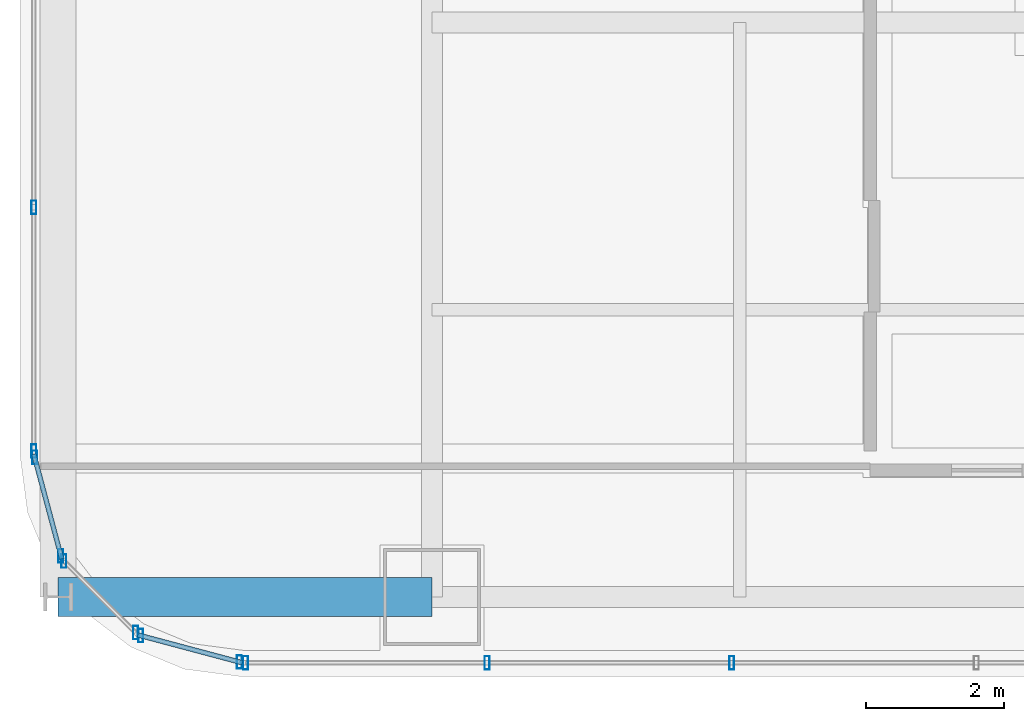
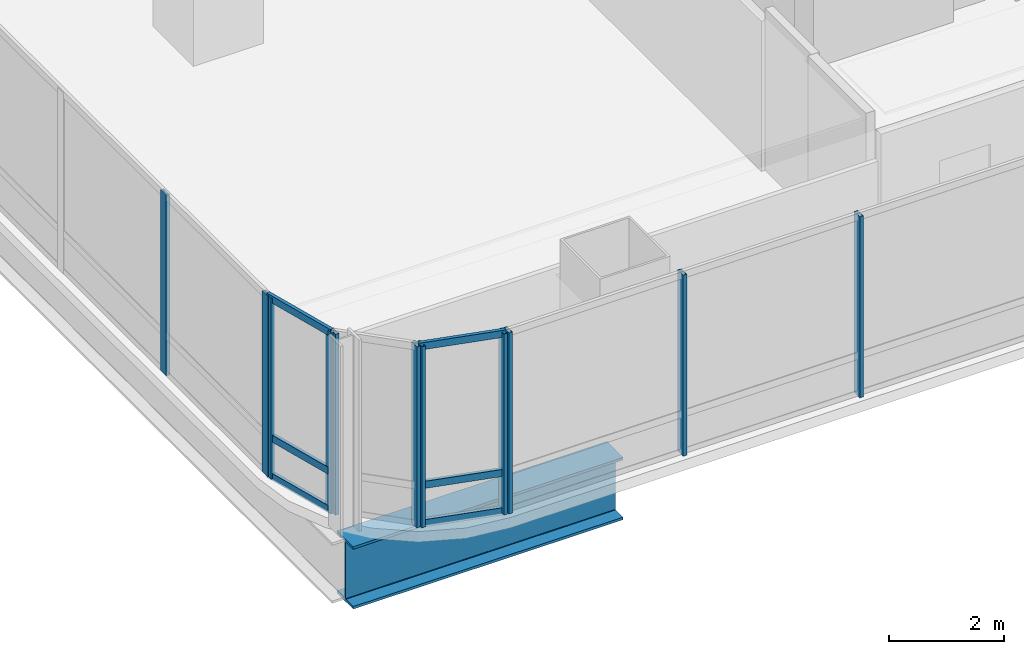
# One storey, part 2 of 38: 17 members, 1 beam, 5 elements without a shape of their own.
"""IFC4 building model written with IfcOpenShell, lengths in metres."""

from ifc_helpers import new_model, si_unit, direction, frame, origin, origin_2d, place, context, subcontext, project, spatial, hollow_rectangle, i_section, extrude, material, material_profile, profile_set, type_object, element, aggregate, save


model = new_model("IFC4")

# Units and contexts
model_context = context("Model", 3, precision=1e-05, world=origin(), true_north=direction((0.0, 1.0)))
body_context = subcontext(model_context, "Body", "Model", "MODEL_VIEW")
ifc_project = project(units=[si_unit("LENGTHUNIT", "METRE"), si_unit("AREAUNIT", "SQUARE_METRE"), si_unit("VOLUMEUNIT", "CUBIC_METRE"), si_unit("PLANEANGLEUNIT", "RADIAN"), si_unit("MASSUNIT", "GRAM", prefix="KILO")], contexts=[model_context])

# Site, building, storey
site_placement = place(None, origin())
site = spatial("IfcSite", under=ifc_project, at=site_placement, CompositionType="ELEMENT")
building_placement = place(site_placement, origin())
building = spatial("IfcBuilding", under=site, at=building_placement, Name="Punatoya Terracotta Tower", CompositionType="ELEMENT")
storey_placement = place(building_placement, frame((0.0, 0.0, 160.050048828125)))
storey = spatial("IfcBuildingStorey", under=building, at=storey_placement, Name="L37", CompositionType="ELEMENT", Elevation=160.050048828125)

# Beam
ifc_material_1 = material(Name="Steel S460", Category="steel")
ifc_material_profile_1 = material_profile(ifc_material_1, i_section(OverallWidth=0.56005859375, OverallDepth=1.320068359375, WebThickness=0.035888671875, FlangeThickness=0.054931640625, FilletRadius=0.01806640625, at=origin_2d()))
ifc_profile_set_1 = profile_set([ifc_material_profile_1], Name="Steel S460")
beam_type = type_object("IfcBeamType", Name="BM-TG-BLK", PredefinedType="BEAM", material=ifc_profile_set_1)
beam_placement = place(storey_placement, frame((-24.5, -17.5, -0.880126953125), z_axis=(1.0, 0.0, 0.0), x_axis=(0.0, 1.0, 0.0)))
element("IfcBeam", 1, at=beam_placement, inside=storey, type_object=beam_type, Name="BM-L37-CANT-W1", PredefinedType="BEAM", context=body_context, shape_type="SweptSolid", body=[
    extrude(i_section(OverallWidth=0.56005859375, OverallDepth=1.320068359375, WebThickness=0.035888671875, FlangeThickness=0.054931640625, FilletRadius=0.01806640625, at=origin_2d()), origin(), (0.0, 0.0, 1.0), 5.39990234375),
])

# Curtain wall, members
ifc_material_2 = material(Name="Aluminium 6063-T6 + Double Low-E Glass", Category="aluminium")
curtain_wall_type = type_object("IfcCurtainWallType", Name="CW-M2", PredefinedType="NOTDEFINED", material=ifc_material_2)
curtain_wall_1_placement = place(storey_placement, origin())
curtain_wall_1 = element("IfcCurtainWall", 2, at=curtain_wall_1_placement, inside=storey, type_object=curtain_wall_type, Name="L37 Curtain Wall CW-L37-S01-1", PredefinedType="NOTDEFINED")
ifc_material_3 = material(Name="Aluminium 6063-T6", Category="aluminium")
ifc_material_profile_2 = material_profile(ifc_material_3, hollow_rectangle(XDim=0.072021484375, YDim=0.195068359375, WallThickness=0.00439453125, at=origin_2d()))
ifc_profile_set_2 = profile_set([ifc_material_profile_2], Name="Aluminium 6063-T6")
member_type_1 = type_object("IfcMemberType", Name="CW-MUL-M2", PredefinedType="MULLION", material=ifc_profile_set_2)
member_1_placement = place(storey_placement, frame((-21.7919921875, -18.449951171875, 0.0), z_axis=(0.0, 0.0, 1.0), x_axis=(1.0, 0.0, 0.0)))
member_1 = element("IfcMember", 3, at=member_1_placement, type_object=member_type_1, Name="CW-L37-S01-1 Mullion 00", PredefinedType="MULLION", context=body_context, shape_type="SweptSolid", body=[
    extrude(hollow_rectangle(XDim=0.072021484375, YDim=0.195068359375, WallThickness=0.00439453125, at=origin_2d()), origin(), (0.0, 0.0, 1.0), 3.829833984375),
])
member_2_placement = place(storey_placement, frame((-18.302978515625, -18.449951171875, 0.0), z_axis=(0.0, 0.0, 1.0), x_axis=(1.0, 0.0, 0.0)))
member_2 = element("IfcMember", 4, at=member_2_placement, type_object=member_type_1, Name="CW-L37-S01-1 Mullion 01", PredefinedType="MULLION", context=body_context, shape_type="SweptSolid", body=[
    extrude(hollow_rectangle(XDim=0.072021484375, YDim=0.195068359375, WallThickness=0.00439453125, at=origin_2d()), origin(), (0.0, 0.0, 1.0), 3.829833984375),
])
member_3_placement = place(storey_placement, frame((-14.768798828125, -18.449951171875, 0.0), z_axis=(0.0, 0.0, 1.0), x_axis=(1.0, 0.0, 0.0)))
member_3 = element("IfcMember", 5, at=member_3_placement, type_object=member_type_1, Name="CW-L37-S01-1 Mullion 02", PredefinedType="MULLION", context=body_context, shape_type="SweptSolid", body=[
    extrude(hollow_rectangle(XDim=0.072021484375, YDim=0.195068359375, WallThickness=0.00439453125, at=origin_2d()), origin(), (0.0, 0.0, 1.0), 3.829833984375),
])
aggregate(curtain_wall_1, [member_1, member_2, member_3])

curtain_wall_2_placement = place(storey_placement, origin())
curtain_wall_2 = element("IfcCurtainWall", 6, at=curtain_wall_2_placement, inside=storey, type_object=curtain_wall_type, Name="L37 Curtain Wall CW-L37-W13-1", PredefinedType="NOTDEFINED")
member_4_placement = place(storey_placement, frame((-24.85009765625, -11.869384765625, 0.0), z_axis=(0.0, 0.0, 1.0), x_axis=(1.0, 0.0, 0.0)))
member_4 = element("IfcMember", 7, at=member_4_placement, type_object=member_type_1, Name="CW-L37-W13-1 Mullion 09", PredefinedType="MULLION", context=body_context, shape_type="SweptSolid", body=[
    extrude(hollow_rectangle(XDim=0.072021484375, YDim=0.195068359375, WallThickness=0.00439453125, at=origin_2d()), origin(), (0.0, 0.0, 1.0), 3.829833984375),
])
member_5_placement = place(storey_placement, frame((-24.85009765625, -15.391845703125, 0.0), z_axis=(0.0, 0.0, 1.0), x_axis=(1.0, 0.0, 0.0)))
member_5 = element("IfcMember", 8, at=member_5_placement, type_object=member_type_1, Name="CW-L37-W13-1 Mullion 10", PredefinedType="MULLION", context=body_context, shape_type="SweptSolid", body=[
    extrude(hollow_rectangle(XDim=0.072021484375, YDim=0.195068359375, WallThickness=0.00439453125, at=origin_2d()), origin(), (0.0, 0.0, 1.0), 3.829833984375),
])
aggregate(curtain_wall_2, [member_4, member_5])

curtain_wall_3_placement = place(storey_placement, origin())
curtain_wall_3 = element("IfcCurtainWall", 9, at=curtain_wall_3_placement, inside=storey, type_object=curtain_wall_type, Name="L37 Curtain Wall CW-L37-CRN14", PredefinedType="NOTDEFINED")
member_6_placement = place(storey_placement, frame((-24.83837890625, -15.48046875, 0.0), z_axis=(0.0, 0.0, 1.0), x_axis=(1.0, 0.0, 0.0)))
member_6 = element("IfcMember", 10, at=member_6_placement, type_object=member_type_1, Name="CW-L37-CRN14 Mullion 00", PredefinedType="MULLION", context=body_context, shape_type="SweptSolid", body=[
    extrude(hollow_rectangle(XDim=0.072021484375, YDim=0.195068359375, WallThickness=0.00439453125, at=origin_2d()), origin(), (0.0, 0.0, 1.0), 3.829833984375),
])
member_7_placement = place(storey_placement, frame((-24.458251953125, -16.905517578125, 0.0), z_axis=(0.0, 0.0, 1.0), x_axis=(1.0, 0.0, 0.0)))
member_7 = element("IfcMember", 11, at=member_7_placement, type_object=member_type_1, Name="CW-L37-CRN14 Mullion 01", PredefinedType="MULLION", context=body_context, shape_type="SweptSolid", body=[
    extrude(hollow_rectangle(XDim=0.072021484375, YDim=0.195068359375, WallThickness=0.00439453125, at=origin_2d()), origin(), (0.0, 0.0, 1.0), 3.829833984375),
])

curtain_wall_4_placement = place(storey_placement, origin())
curtain_wall_4 = element("IfcCurtainWall", 12, at=curtain_wall_4_placement, inside=storey, type_object=curtain_wall_type, Name="L37 Curtain Wall CW-L37-CRN15", PredefinedType="NOTDEFINED")
member_8_placement = place(storey_placement, frame((-24.414794921875, -16.98095703125, 0.0), z_axis=(0.0, 0.0, 1.0), x_axis=(1.0, 0.0, 0.0)))
member_8 = element("IfcMember", 13, at=member_8_placement, type_object=member_type_1, Name="CW-L37-CRN15 Mullion 00", PredefinedType="MULLION", context=body_context, shape_type="SweptSolid", body=[
    extrude(hollow_rectangle(XDim=0.072021484375, YDim=0.195068359375, WallThickness=0.00439453125, at=origin_2d()), origin(), (0.0, 0.0, 1.0), 3.829833984375),
])
member_9_placement = place(storey_placement, frame((-23.380859375, -18.014892578125, 0.0), z_axis=(0.0, 0.0, 1.0), x_axis=(1.0, 0.0, 0.0)))
member_9 = element("IfcMember", 14, at=member_9_placement, type_object=member_type_1, Name="CW-L37-CRN15 Mullion 01", PredefinedType="MULLION", context=body_context, shape_type="SweptSolid", body=[
    extrude(hollow_rectangle(XDim=0.072021484375, YDim=0.195068359375, WallThickness=0.00439453125, at=origin_2d()), origin(), (0.0, 0.0, 1.0), 3.829833984375),
])
aggregate(curtain_wall_4, [member_8, member_9])

curtain_wall_5_placement = place(storey_placement, origin())
curtain_wall_5 = element("IfcCurtainWall", 15, at=curtain_wall_5_placement, inside=storey, type_object=curtain_wall_type, Name="L37 Curtain Wall CW-L37-CRN16", PredefinedType="NOTDEFINED")
member_10_placement = place(storey_placement, frame((-23.3056640625, -18.05810546875, 0.0), z_axis=(0.0, 0.0, 1.0), x_axis=(1.0, 0.0, 0.0)))
member_10 = element("IfcMember", 16, at=member_10_placement, type_object=member_type_1, Name="CW-L37-CRN16 Mullion 00", PredefinedType="MULLION", context=body_context, shape_type="SweptSolid", body=[
    extrude(hollow_rectangle(XDim=0.072021484375, YDim=0.195068359375, WallThickness=0.00439453125, at=origin_2d()), origin(), (0.0, 0.0, 1.0), 3.829833984375),
])
member_11_placement = place(storey_placement, frame((-21.88037109375, -18.4384765625, 0.0), z_axis=(0.0, 0.0, 1.0), x_axis=(1.0, 0.0, 0.0)))
member_11 = element("IfcMember", 17, at=member_11_placement, type_object=member_type_1, Name="CW-L37-CRN16 Mullion 01", PredefinedType="MULLION", context=body_context, shape_type="SweptSolid", body=[
    extrude(hollow_rectangle(XDim=0.072021484375, YDim=0.195068359375, WallThickness=0.00439453125, at=origin_2d()), origin(), (0.0, 0.0, 1.0), 3.829833984375),
])

# Member
ifc_material_profile_3 = material_profile(ifc_material_3, hollow_rectangle(XDim=0.068115234375, YDim=0.14990234375, WallThickness=0.00390625, at=origin_2d()))
ifc_profile_set_3 = profile_set([ifc_material_profile_3], Name="Aluminium 6063-T6")
member_type_2 = type_object("IfcMemberType", Name="CW-TRN-TYP", PredefinedType="USERDEFINED", material=ifc_profile_set_3)
member_12_placement = place(storey_placement, frame((-24.85009765625, -15.43701171875, 0.0400390625), z_axis=(0.257847112249, -0.966185730957, 0.0), x_axis=(0.966185730957, 0.257847112249, 0.0)))
member_12 = element("IfcMember", 18, at=member_12_placement, type_object=member_type_2, Name="CW-L37-CRN14 Transom 1", ObjectType="TRANSOM", PredefinedType="USERDEFINED", context=body_context, shape_type="SweptSolid", body=[
    extrude(hollow_rectangle(XDim=0.068115234375, YDim=0.14990234375, WallThickness=0.00390625, at=origin_2d()), origin(), (0.0, 0.0, 1.0), 1.565185546875),
])

member_13_placement = place(storey_placement, frame((-24.85009765625, -15.43701171875, 0.849853515625), z_axis=(0.257847112249, -0.966185730957, 0.0), x_axis=(0.966185730957, 0.257847112249, 0.0)))
member_13 = element("IfcMember", 19, at=member_13_placement, type_object=member_type_2, Name="CW-L37-CRN14 Transom 2", ObjectType="TRANSOM", PredefinedType="USERDEFINED", context=body_context, shape_type="SweptSolid", body=[
    extrude(hollow_rectangle(XDim=0.068115234375, YDim=0.14990234375, WallThickness=0.00390625, at=origin_2d()), origin(), (0.0, 0.0, 1.0), 1.565185546875),
])

member_14_placement = place(storey_placement, frame((-24.85009765625, -15.43701171875, 3.7900390625), z_axis=(0.257847112249, -0.966185730957, 0.0), x_axis=(0.966185730957, 0.257847112249, 0.0)))
member_14 = element("IfcMember", 20, at=member_14_placement, type_object=member_type_2, Name="CW-L37-CRN14 Transom 3", ObjectType="TRANSOM", PredefinedType="USERDEFINED", context=body_context, shape_type="SweptSolid", body=[
    extrude(hollow_rectangle(XDim=0.068115234375, YDim=0.14990234375, WallThickness=0.00390625, at=origin_2d()), origin(), (0.0, 0.0, 1.0), 1.565185546875),
])

aggregate(curtain_wall_3, [member_6, member_7, member_12, member_13, member_14])

member_15_placement = place(storey_placement, frame((-23.34912109375, -18.046630859375, 0.0400390625), z_axis=(0.966224582397, -0.257701486942, 0.0), x_axis=(0.257701486942, 0.966224582397, 0.0)))
member_15 = element("IfcMember", 21, at=member_15_placement, type_object=member_type_2, Name="CW-L37-CRN16 Transom 1", ObjectType="TRANSOM", PredefinedType="USERDEFINED", context=body_context, shape_type="SweptSolid", body=[
    extrude(hollow_rectangle(XDim=0.068115234375, YDim=0.14990234375, WallThickness=0.00390625, at=origin_2d()), origin(), (0.0, 0.0, 1.0), 1.565185546875),
])

member_16_placement = place(storey_placement, frame((-23.34912109375, -18.046630859375, 0.849853515625), z_axis=(0.966224582397, -0.257701486942, 0.0), x_axis=(0.257701486942, 0.966224582397, 0.0)))
member_16 = element("IfcMember", 22, at=member_16_placement, type_object=member_type_2, Name="CW-L37-CRN16 Transom 2", ObjectType="TRANSOM", PredefinedType="USERDEFINED", context=body_context, shape_type="SweptSolid", body=[
    extrude(hollow_rectangle(XDim=0.068115234375, YDim=0.14990234375, WallThickness=0.00390625, at=origin_2d()), origin(), (0.0, 0.0, 1.0), 1.565185546875),
])

member_17_placement = place(storey_placement, frame((-23.34912109375, -18.046630859375, 3.7900390625), z_axis=(0.966224582397, -0.257701486942, 0.0), x_axis=(0.257701486942, 0.966224582397, 0.0)))
member_17 = element("IfcMember", 23, at=member_17_placement, type_object=member_type_2, Name="CW-L37-CRN16 Transom 3", ObjectType="TRANSOM", PredefinedType="USERDEFINED", context=body_context, shape_type="SweptSolid", body=[
    extrude(hollow_rectangle(XDim=0.068115234375, YDim=0.14990234375, WallThickness=0.00390625, at=origin_2d()), origin(), (0.0, 0.0, 1.0), 1.565185546875),
])

aggregate(curtain_wall_5, [member_10, member_11, member_15, member_16, member_17])

save(model, "model.ifc")
